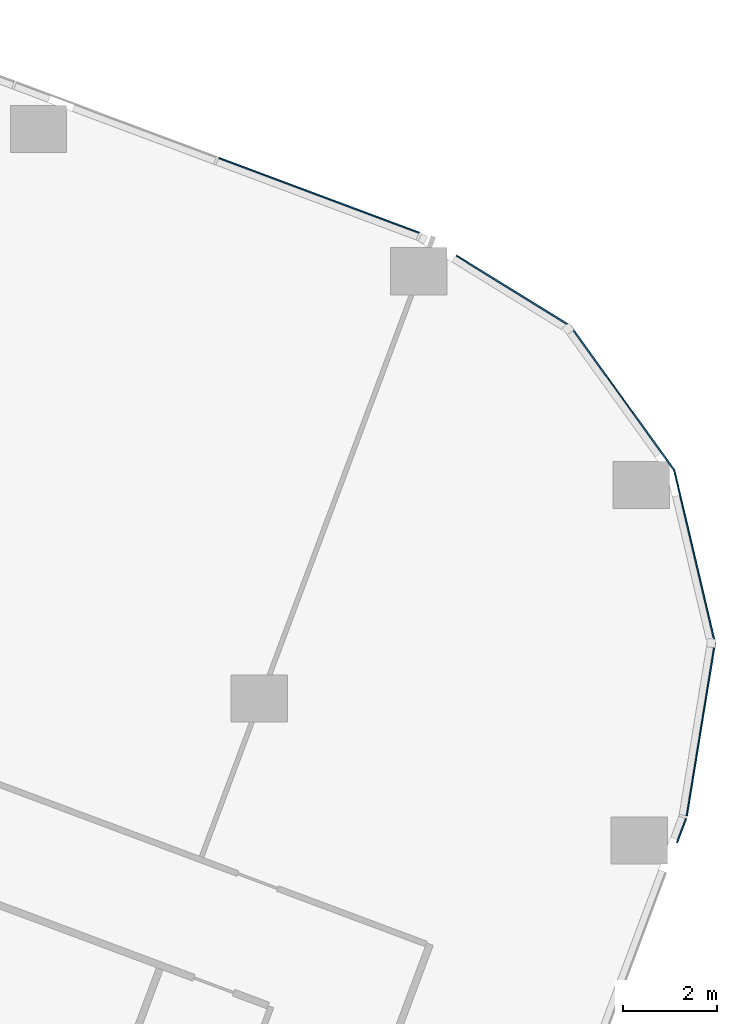
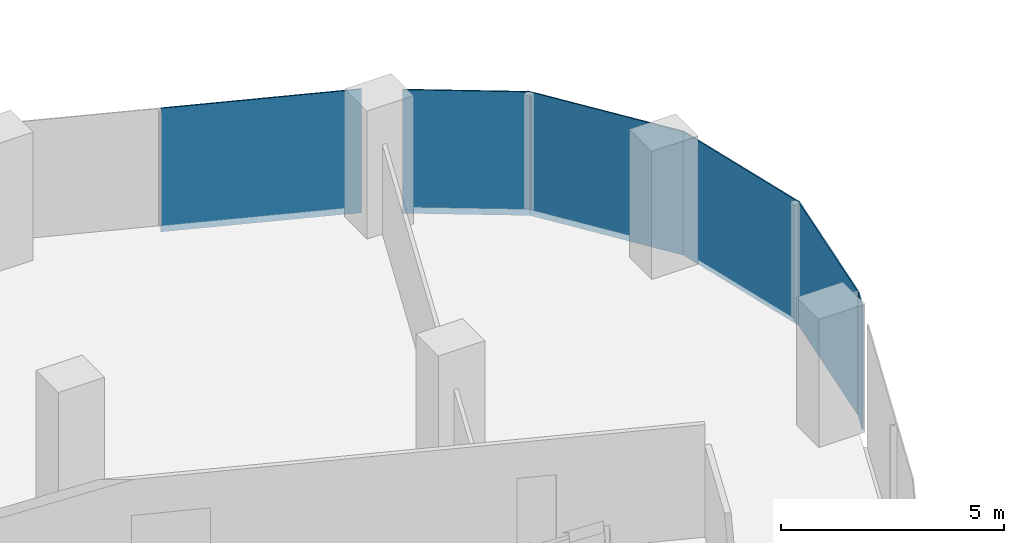
# One storey, part 20 of 31: 6 plates, 6 elements without a shape of their own.
"""IFC4 building model written with IfcOpenShell, lengths in metres."""

import ifcopenshell
import ifcopenshell.guid

model = None  # the IFC model being written
_history = None  # IfcOwnerHistory: only IFC2X3 demands one
_inside = {}  # id of a spatial element -> (the spatial element, [elements in it])
_under = {}  # id of a project, library or spatial element -> (it, [spatial elements below it])
_declared = {}  # id of a project -> (the project, [libraries it declares])
_typed = {}  # id of a type object -> (the type object, [elements of that type])
_made_of = {}  # id of a material, layer set ... -> (it, [elements and type objects made of it])


def new_model(schema):
    """Start an empty IFC model of exactly this schema.

    Asked for "IFC4X3", IfcOpenShell would pick the latest addendum, in which some entities
    have other attributes; the version numbers below select the first issue.
    IFC2X3 requires an IfcOwnerHistory on every rooted entity: one is made here for all.
    """
    global model, _history
    if schema == "IFC4X3":
        model = ifcopenshell.file(schema_version=(4, 3, 0, 0))
    else:
        model = ifcopenshell.file(schema=schema)
    _inside.clear()
    _under.clear()
    _declared.clear()
    _typed.clear()
    _made_of.clear()
    _history = None
    if model.schema == "IFC2X3":
        org = make("IfcOrganization", Name="unknown")
        user = make(
            "IfcPersonAndOrganization",
            ThePerson=make("IfcPerson", FamilyName="unknown"),
            TheOrganization=org,
        )
        app = make(
            "IfcApplication",
            ApplicationDeveloper=org,
            Version="unknown",
            ApplicationFullName="unknown",
            ApplicationIdentifier="unknown",
        )
        _history = make(
            "IfcOwnerHistory",
            OwningUser=user,
            OwningApplication=app,
            ChangeAction="ADDED",
            CreationDate=0,
        )
    return model


def make(cls, **values):
    """One entity of the class cls with the attributes given. An attribute that is None is left unset."""
    return model.create_entity(
        cls, **{name: value for name, value in values.items() if value is not None}
    )


def rooted(cls, **values):
    """An entity with a GlobalId (a new one), such as an element, a storey or a relation."""
    return make(cls, GlobalId=ifcopenshell.guid.new(), OwnerHistory=_history, **values)


def si_unit(unit_type, name, prefix=None):
    """IfcSIUnit, for example si_unit("LENGTHUNIT", "METRE", prefix="MILLI")."""
    return make("IfcSIUnit", UnitType=unit_type, Prefix=prefix, Name=name)


def assignment(units):
    """IfcUnitAssignment: the units of a project."""
    return None if units is None else make("IfcUnitAssignment", Units=units)


def point(xyz):
    """IfcCartesianPoint."""
    return None if xyz is None else make("IfcCartesianPoint", Coordinates=xyz)


def direction(xyz):
    """IfcDirection."""
    return None if xyz is None else make("IfcDirection", DirectionRatios=xyz)


def frame(location, z_axis=None, x_axis=None):
    """IfcAxis2Placement3D, a coordinate frame: its origin and axes. An axis left out is left unset."""
    return make(
        "IfcAxis2Placement3D",
        Location=point(location),
        Axis=direction(z_axis),
        RefDirection=direction(x_axis),
    )


def frame_2d(location, x_axis=None):
    """IfcAxis2Placement2D, a coordinate frame in the plane: its origin and x axis."""
    return make(
        "IfcAxis2Placement2D", Location=point(location), RefDirection=direction(x_axis)
    )


def origin():
    """The frame at (0, 0, 0) with its axes left unset."""
    return frame((0.0, 0.0, 0.0))


def origin_2d():
    """The frame at (0, 0) in the plane with its x axis left unset."""
    return frame_2d((0.0, 0.0))


def place(relative_to, where):
    """IfcLocalPlacement: puts the frame where relative to a parent placement (None: the world)."""
    return make(
        "IfcLocalPlacement", PlacementRelTo=relative_to, RelativePlacement=where
    )


def context(
    kind, dimensions, precision=None, world=None, true_north=None, identifier=None
):
    """IfcGeometricRepresentationContext, for example the 3D "Model" context."""
    return make(
        "IfcGeometricRepresentationContext",
        ContextIdentifier=identifier,
        ContextType=kind,
        CoordinateSpaceDimension=dimensions,
        Precision=precision,
        WorldCoordinateSystem=world,
        TrueNorth=true_north,
    )


def subcontext(parent, identifier, kind, view, scale=None):
    """IfcGeometricRepresentationSubContext, for example "Body" below "Model"."""
    return make(
        "IfcGeometricRepresentationSubContext",
        ContextIdentifier=identifier,
        ContextType=kind,
        ParentContext=parent,
        TargetScale=scale,
        TargetView=view,
    )


def project(units=None, contexts=None):
    """IfcProject with its units and contexts."""
    return rooted(
        "IfcProject",
        Name="project",
        RepresentationContexts=contexts,
        UnitsInContext=assignment(units),
    )


def spatial(cls, under=None, at=None, **own):
    """A site, building, storey or space (cls), placed at a placement, below another one or the project."""
    s = rooted(cls, ObjectPlacement=at, **own)
    if under is not None:
        _under.setdefault(under.id(), (under, []))[1].append(s)
    return s


def profile(cls, at=None, kind="AREA", **sizes):
    """A parametric profile (cls). Its sizes go by their IFC names, for example OverallWidth=200.0."""
    return make(cls, ProfileType=kind, Position=at, **sizes)


def rectangle(**sizes):
    """IfcRectangleProfileDef."""
    return profile("IfcRectangleProfileDef", **sizes)


def extrude(swept, where, along, depth):
    """IfcExtrudedAreaSolid: the profile swept, set in the frame where, extruded along a direction by depth."""
    return make(
        "IfcExtrudedAreaSolid",
        SweptArea=swept,
        Position=where,
        ExtrudedDirection=direction(along),
        Depth=depth,
    )


def shape(context_of_items, identifier, shape_type, items):
    """IfcShapeRepresentation: the items that make up one representation, for example the "Body"."""
    return make(
        "IfcShapeRepresentation",
        ContextOfItems=context_of_items,
        RepresentationIdentifier=identifier,
        RepresentationType=shape_type,
        Items=items,
    )


def material(Name=None, Category=None):
    """IfcMaterial."""
    return make("IfcMaterial", Name=Name, Category=Category)


def layer(
    of_material, thickness, ventilated=None, Name=None, Category=None, Priority=None
):
    """IfcMaterialLayer: one layer of a wall or slab, of a material (None: an air gap)."""
    return make(
        "IfcMaterialLayer",
        Material=of_material,
        LayerThickness=thickness,
        IsVentilated=ventilated,
        Name=Name,
        Category=Category,
        Priority=Priority,
    )


def layer_set(layers, Name=None):
    """IfcMaterialLayerSet."""
    return make("IfcMaterialLayerSet", MaterialLayers=layers, LayerSetName=Name)


def made_of(thing, what):
    """Note that an element or type object is made of a material, layer set ...; save() writes the relation."""
    if what is not None:
        _made_of.setdefault(what.id(), (what, []))[1].append(thing)
    return thing


def type_object(cls, material=None, **own):
    """A type object (cls), such as IfcWallType, which elements share."""
    return made_of(rooted(cls, **own), material)


def element(
    cls,
    number,
    at=None,
    inside=None,
    cuts=None,
    type_object=None,
    material=None,
    context=None,
    identifier="Body",
    shape_type=None,
    held_by="IfcProductDefinitionShape",
    body=None,
    shapes=None,
    **own,
):
    """One element of the class cls, such as IfcWall. Its Tag is "e" and its number.

    at: its placement. inside: the storey or other place that contains it. cuts: it is an
    opening in that element (IfcRelVoidsElement). A single representation is given by context,
    identifier, shape_type and body (its items); several are given by shapes. held_by: the class
    of the entity that holds the representations. save() writes the other relations.
    """
    e = rooted(cls, Tag="e%d" % number, ObjectPlacement=at, **own)
    if body is not None:
        shapes = [shape(context, identifier, shape_type, body)]
    if shapes is not None:
        e.Representation = make(held_by, Representations=shapes)
    if inside is not None:
        _inside.setdefault(inside.id(), (inside, []))[1].append(e)
    if cuts is not None:
        rooted(
            "IfcRelVoidsElement", RelatingBuildingElement=cuts, RelatedOpeningElement=e
        )
    if type_object is not None:
        _typed.setdefault(type_object.id(), (type_object, []))[1].append(e)
    return made_of(e, material)


def aggregate(whole, parts):
    """IfcRelAggregates: a whole, such as a stair, and the parts it consists of."""
    return rooted("IfcRelAggregates", RelatingObject=whole, RelatedObjects=parts)


def save(model, path):
    """Write the relations noted so far, then the file.

    IfcRelAggregates (storeys below a building ...), IfcRelContainedInSpatialStructure (elements
    in a storey), IfcRelDefinesByType, IfcRelAssociatesMaterial and IfcRelDeclares: one each for
    every whole, place, type object, material and project.
    """
    for whole, parts in _under.values():
        aggregate(whole, parts)
    for where, things in _inside.values():
        rooted(
            "IfcRelContainedInSpatialStructure",
            RelatedElements=things,
            RelatingStructure=where,
        )
    for kind, things in _typed.values():
        rooted("IfcRelDefinesByType", RelatedObjects=things, RelatingType=kind)
    for what, things in _made_of.values():
        rooted("IfcRelAssociatesMaterial", RelatedObjects=things, RelatingMaterial=what)
    for by, libraries in _declared.values():
        rooted("IfcRelDeclares", RelatingContext=by, RelatedDefinitions=libraries)
    model.write(path)


model = new_model("IFC4")

# Units and contexts
model_context = context("Model", 3, precision=1e-05, world=origin(), true_north=direction((0.0, 1.0)))
body_context = subcontext(model_context, "Body", "Model", "MODEL_VIEW")
ifc_project = project(units=[si_unit("LENGTHUNIT", "METRE"), si_unit("AREAUNIT", "SQUARE_METRE"), si_unit("VOLUMEUNIT", "CUBIC_METRE"), si_unit("PLANEANGLEUNIT", "RADIAN"), si_unit("MASSUNIT", "GRAM", prefix="KILO")], contexts=[model_context])

# Site, building, storey
site_placement = place(None, origin())
site = spatial("IfcSite", under=ifc_project, at=site_placement, CompositionType="ELEMENT")
building_placement = place(site_placement, origin())
building = spatial("IfcBuilding", under=site, at=building_placement, Name="Orlundy Tower", CompositionType="ELEMENT")
storey_placement = place(building_placement, frame((0.0, 0.0, 91.199951171875)))
storey = spatial("IfcBuildingStorey", under=building, at=storey_placement, Name="L22", CompositionType="ELEMENT", Elevation=91.199951171875)

# Curtain wall, plate
ifc_material_1 = material(Name="Aluminium bronze anodised", Category="aluminium")
curtain_wall_type = type_object("IfcCurtainWallType", Name="CW1 wall", PredefinedType="NOTDEFINED", material=ifc_material_1)
curtain_wall_1_placement = place(storey_placement, origin())
curtain_wall_1 = element("IfcCurtainWall", 1, at=curtain_wall_1_placement, inside=storey, type_object=curtain_wall_type, Name="CW1 run 06", PredefinedType="NOTDEFINED")
ifc_material_2 = material(Name="Tinted glass", Category="glass")
ifc_layer = layer(ifc_material_2, 0.031982421875)
ifc_layer_set = layer_set([ifc_layer], Name="CW1 glass panel 32")
plate_type = type_object("IfcPlateType", Name="CW1 glass panel 32", PredefinedType="CURTAIN_PANEL", material=ifc_layer_set)
plate_1_placement = place(storey_placement, frame((51.75390625, 2.17724609375, -0.27978515625), z_axis=(0.0, 0.0, 1.0), x_axis=(0.93667352363, -0.350203812273, 0.0)))
plate_1 = element("IfcPlate", 2, at=plate_1_placement, type_object=plate_type, Name="CW1 panel", PredefinedType="CURTAIN_PANEL", context=body_context, shape_type="SweptSolid", body=[
    extrude(rectangle(XDim=4.5546875, YDim=0.031982421875, at=origin_2d()), origin(), (0.0, 0.0, 1.0), 3.3798828125),
])
aggregate(curtain_wall_1, [plate_1])

curtain_wall_2_placement = place(storey_placement, origin())
curtain_wall_2 = element("IfcCurtainWall", 3, at=curtain_wall_2_placement, inside=storey, type_object=curtain_wall_type, Name="CW1 run 07", PredefinedType="NOTDEFINED")
plate_2_placement = place(storey_placement, frame((55.89013671875, 0.146240234375, -0.27978515625), z_axis=(0.0, 0.0, 1.0), x_axis=(0.850414609011, -0.526113098849, 0.0)))
plate_2 = element("IfcPlate", 4, at=plate_2_placement, type_object=plate_type, Name="CW1 panel", PredefinedType="CURTAIN_PANEL", context=body_context, shape_type="SweptSolid", body=[
    extrude(rectangle(XDim=2.855224609375, YDim=0.031982421875, at=origin_2d()), origin(), (0.0, 0.0, 1.0), 3.3798828125),
])
aggregate(curtain_wall_2, [plate_2])

curtain_wall_3_placement = place(storey_placement, origin())
curtain_wall_3 = element("IfcCurtainWall", 5, at=curtain_wall_3_placement, inside=storey, type_object=curtain_wall_type, Name="CW1 run 08", PredefinedType="NOTDEFINED")
plate_3_placement = place(storey_placement, frame((58.20556640625, -2.1357421875, -0.27978515625), z_axis=(0.0, 0.0, 1.0), x_axis=(0.584041752233, -0.811723617772, 0.0)))
plate_3 = element("IfcPlate", 6, at=plate_3_placement, type_object=plate_type, Name="CW1 panel", PredefinedType="CURTAIN_PANEL", context=body_context, shape_type="SweptSolid", body=[
    extrude(rectangle(XDim=3.772216796875, YDim=0.031982421875, at=origin_2d()), origin(), (0.0, 0.0, 1.0), 3.3798828125),
])
aggregate(curtain_wall_3, [plate_3])

curtain_wall_4_placement = place(storey_placement, origin())
curtain_wall_4 = element("IfcCurtainWall", 7, at=curtain_wall_4_placement, inside=storey, type_object=curtain_wall_type, Name="CW1 run 09", PredefinedType="NOTDEFINED")
plate_4_placement = place(storey_placement, frame((59.73974609375, -5.50244140625, -0.27978515625), z_axis=(0.0, 0.0, 1.0), x_axis=(0.229309985845, -0.97335344577, 0.0)))
plate_4 = element("IfcPlate", 8, at=plate_4_placement, type_object=plate_type, Name="CW1 panel", PredefinedType="CURTAIN_PANEL", context=body_context, shape_type="SweptSolid", body=[
    extrude(rectangle(XDim=3.77197265625, YDim=0.031982421875, at=origin_2d()), origin(), (0.0, 0.0, 1.0), 3.3798828125),
])
aggregate(curtain_wall_4, [plate_4])

curtain_wall_5_placement = place(storey_placement, origin())
curtain_wall_5 = element("IfcCurtainWall", 9, at=curtain_wall_5_placement, inside=storey, type_object=curtain_wall_type, Name="CW1 run 010", PredefinedType="NOTDEFINED")
plate_5_placement = place(storey_placement, frame((59.872314453125, -9.178955078125, -0.27978515625), z_axis=(0.0, 0.0, 1.0), x_axis=(-0.160810081906, -0.986985368462, 0.0)))
plate_5 = element("IfcPlate", 10, at=plate_5_placement, type_object=plate_type, Name="CW1 panel", PredefinedType="CURTAIN_PANEL", context=body_context, shape_type="SweptSolid", body=[
    extrude(rectangle(XDim=3.72998046875, YDim=0.031982421875, at=origin_2d()), origin(), (0.0, 0.0, 1.0), 3.3798828125),
])
aggregate(curtain_wall_5, [plate_5])

curtain_wall_6_placement = place(storey_placement, origin())
curtain_wall_6 = element("IfcCurtainWall", 11, at=curtain_wall_6_placement, inside=storey, type_object=curtain_wall_type, Name="CW1 run 011", PredefinedType="NOTDEFINED")
plate_6_placement = place(storey_placement, frame((59.463134765625, -11.3251953125, -0.27978515625), z_axis=(0.0, 0.0, 1.0), x_axis=(-0.350194360916, -0.936677057252, 0.0)))
plate_6 = element("IfcPlate", 12, at=plate_6_placement, type_object=plate_type, Name="CW1 panel", PredefinedType="CURTAIN_PANEL", context=body_context, shape_type="SweptSolid", body=[
    extrude(rectangle(XDim=0.549560546875, YDim=0.031982421875, at=origin_2d()), origin(), (0.0, 0.0, 1.0), 3.3798828125),
])
aggregate(curtain_wall_6, [plate_6])

save(model, "model.ifc")
